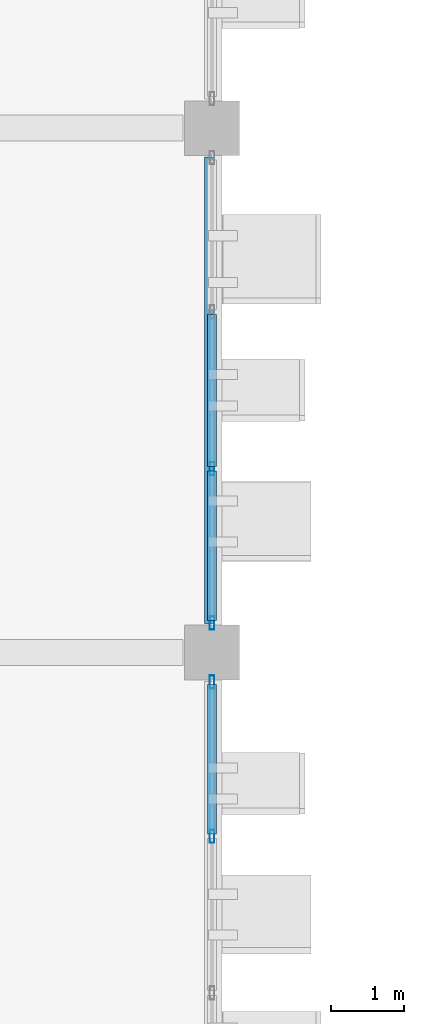
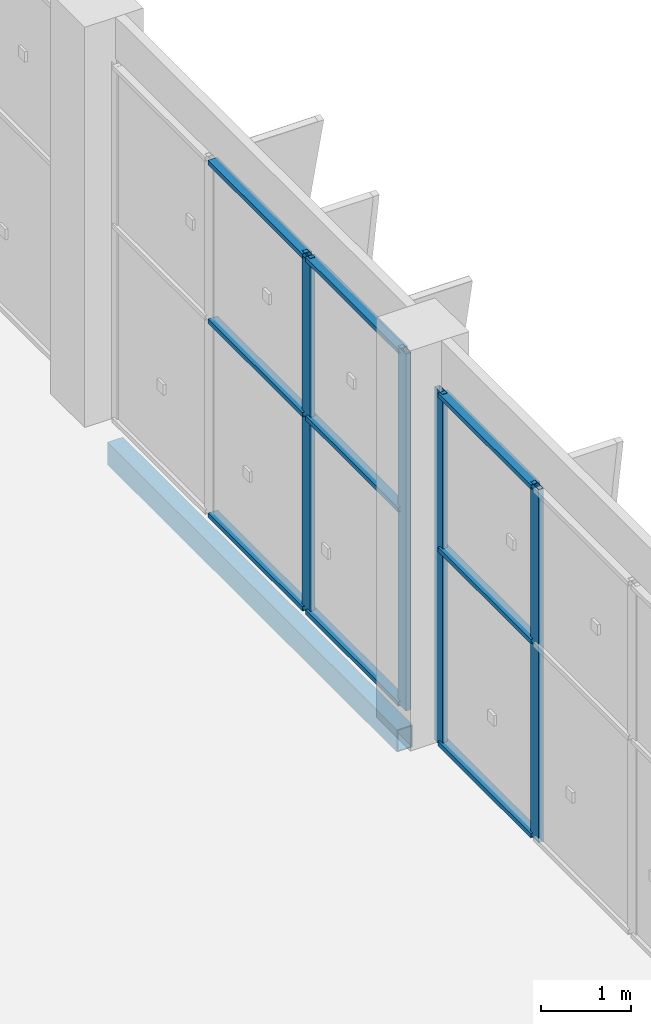
# One storey, part 55 of 189: 13 members, 1 beam, 2 elements without a shape of their own.
"""IFC4 building model written with IfcOpenShell, lengths in metres."""

from ifc_helpers import new_model, si_unit, direction, frame, origin, origin_2d, place, context, subcontext, project, spatial, hollow_rectangle, extrude, material, layer, layer_set, material_profile, profile_set, type_object, element, aggregate, save


model = new_model("IFC4")

# Units and contexts
model_context = context("Model", 3, precision=1e-05, world=origin(), true_north=direction((0.0, 1.0)))
body_context = subcontext(model_context, "Body", "Model", "MODEL_VIEW")
ifc_project = project(units=[si_unit("LENGTHUNIT", "METRE"), si_unit("AREAUNIT", "SQUARE_METRE"), si_unit("VOLUMEUNIT", "CUBIC_METRE"), si_unit("PLANEANGLEUNIT", "RADIAN"), si_unit("MASSUNIT", "GRAM", prefix="KILO")], contexts=[model_context])

# Site, building, storey
site_placement = place(None, origin())
site = spatial("IfcSite", under=ifc_project, at=site_placement, CompositionType="ELEMENT")
building_placement = place(site_placement, origin())
building = spatial("IfcBuilding", under=site, at=building_placement, Name="Celestram Park Convention Centre", CompositionType="ELEMENT")
storey_placement = place(building_placement, frame((0.0, 0.0, 5.39990234375)))
storey = spatial("IfcBuildingStorey", under=building, at=storey_placement, Name="L01", CompositionType="ELEMENT", Elevation=5.39990234375)

# Curtain wall, members
ifc_material_1 = material(Name="Anodised Aluminium Alloy 6063-T6", Category="aluminium")
ifc_layer_1 = layer(ifc_material_1, 0.179931640625)
ifc_layer_set_1 = layer_set([ifc_layer_1], Name="Anodised Aluminium Alloy 6063-T6")
curtain_wall_type_1 = type_object("IfcCurtainWallType", Name="ARC-CW-645X482", PredefinedType="NOTDEFINED", material=ifc_layer_set_1)
curtain_wall_1_placement = place(storey_placement, origin())
curtain_wall_1 = element("IfcCurtainWall", 1, at=curtain_wall_1_placement, inside=storey, type_object=curtain_wall_type_1, Name="Unitised curtain wall CU-L01-096", PredefinedType="NOTDEFINED")
ifc_material_profile_1 = material_profile(ifc_material_1, hollow_rectangle(XDim=0.06494140625, YDim=0.179931640625, WallThickness=0.00390625, at=origin_2d()), Name="ALU65X180X4")
ifc_profile_set_1 = profile_set([ifc_material_profile_1], Name="Anodised Aluminium Alloy 6063-T6")
member_type_1 = type_object("IfcMemberType", Name="ARC-CWM-150", PredefinedType="MULLION", material=ifc_profile_set_1)
member_1_placement = place(storey_placement, frame((144.0, 45.724365234375, 0.0), z_axis=(0.0, 0.0, 1.0), x_axis=(1.0, 0.0, 0.0)))
member_1 = element("IfcMember", 2, at=member_1_placement, type_object=member_type_1, Name="CW-64X48 mullion 3", PredefinedType="MULLION", context=body_context, shape_type="SweptSolid", body=[
    extrude(hollow_rectangle(XDim=0.06494140625, YDim=0.179931640625, WallThickness=0.00390625, at=origin_2d()), origin(), (0.0, 0.0, 1.0), 4.820068359375),
])
member_2_placement = place(storey_placement, frame((144.0, 43.60546875, 0.0), z_axis=(0.0, 0.0, 1.0), x_axis=(1.0, 0.0, 0.0)))
member_2 = element("IfcMember", 3, at=member_2_placement, type_object=member_type_1, Name="CW-64X48 mullion 4", PredefinedType="MULLION", context=body_context, shape_type="SweptSolid", body=[
    extrude(hollow_rectangle(XDim=0.06494140625, YDim=0.179931640625, WallThickness=0.00390625, at=origin_2d()), origin(), (0.0, 0.0, 1.0), 4.820068359375),
])

ifc_layer_2 = layer(ifc_material_1, 0.179931640625)
ifc_layer_set_2 = layer_set([ifc_layer_2], Name="Anodised Aluminium Alloy 6063-T6")
curtain_wall_type_2 = type_object("IfcCurtainWallType", Name="ARC-CW-645X476", PredefinedType="NOTDEFINED", material=ifc_layer_set_2)
curtain_wall_2_placement = place(storey_placement, origin())
curtain_wall_2 = element("IfcCurtainWall", 4, at=curtain_wall_2_placement, inside=storey, type_object=curtain_wall_type_2, Name="Unitised curtain wall CU-L01-097", PredefinedType="NOTDEFINED")
member_3_placement = place(storey_placement, frame((144.0, 42.79443359375, 0.0), z_axis=(0.0, 0.0, 1.0), x_axis=(1.0, 0.0, 0.0)))
member_3 = element("IfcMember", 5, at=member_3_placement, type_object=member_type_1, Name="CW-64X47 mullion 1", PredefinedType="MULLION", context=body_context, shape_type="SweptSolid", body=[
    extrude(hollow_rectangle(XDim=0.06494140625, YDim=0.179931640625, WallThickness=0.00390625, at=origin_2d()), origin(), (0.0, 0.0, 1.0), 4.76416015625),
])
member_4_placement = place(storey_placement, frame((144.0, 40.67578125, 0.0), z_axis=(0.0, 0.0, 1.0), x_axis=(1.0, 0.0, 0.0)))
member_4 = element("IfcMember", 6, at=member_4_placement, type_object=member_type_1, Name="CW-64X47 mullion 2", PredefinedType="MULLION", context=body_context, shape_type="SweptSolid", body=[
    extrude(hollow_rectangle(XDim=0.06494140625, YDim=0.179931640625, WallThickness=0.00390625, at=origin_2d()), origin(), (0.0, 0.0, 1.0), 4.76416015625),
])

# Member
ifc_material_profile_2 = material_profile(ifc_material_1, hollow_rectangle(XDim=0.1201171875, YDim=0.06005859375, WallThickness=0.0029296875, at=origin_2d()), Name="ALU120X60X3")
ifc_profile_set_2 = profile_set([ifc_material_profile_2], Name="Anodised Aluminium Alloy 6063-T6")
member_type_2 = type_object("IfcMemberType", Name="ARC-CWT-120", PredefinedType="USERDEFINED", material=ifc_profile_set_2)
member_5_placement = place(storey_placement, frame((144.0, 47.84326171875, 0.030029296875), z_axis=(0.0, -1.0, 0.0), x_axis=(1.0, 0.0, 0.0)))
member_5 = element("IfcMember", 7, at=member_5_placement, type_object=member_type_2, Name="CW-64X48 transom 2.1", ObjectType="TRANSOM", PredefinedType="USERDEFINED", context=body_context, shape_type="SweptSolid", body=[
    extrude(hollow_rectangle(XDim=0.1201171875, YDim=0.06005859375, WallThickness=0.0029296875, at=origin_2d()), origin(), (0.0, 0.0, 1.0), 2.08642578125),
])

member_6_placement = place(storey_placement, frame((144.0, 47.84326171875, 2.650146484375), z_axis=(0.0, -1.0, 0.0), x_axis=(1.0, 0.0, 0.0)))
member_6 = element("IfcMember", 8, at=member_6_placement, type_object=member_type_2, Name="CW-64X48 transom 2.2", ObjectType="TRANSOM", PredefinedType="USERDEFINED", context=body_context, shape_type="SweptSolid", body=[
    extrude(hollow_rectangle(XDim=0.1201171875, YDim=0.06005859375, WallThickness=0.0029296875, at=origin_2d()), origin(), (0.0, 0.0, 1.0), 2.08642578125),
])

member_7_placement = place(storey_placement, frame((144.0, 47.84326171875, 4.7900390625), z_axis=(0.0, -1.0, 0.0), x_axis=(1.0, 0.0, 0.0)))
member_7 = element("IfcMember", 9, at=member_7_placement, type_object=member_type_2, Name="CW-64X48 transom 2.3", ObjectType="TRANSOM", PredefinedType="USERDEFINED", context=body_context, shape_type="SweptSolid", body=[
    extrude(hollow_rectangle(XDim=0.1201171875, YDim=0.06005859375, WallThickness=0.0029296875, at=origin_2d()), origin(), (0.0, 0.0, 1.0), 2.08642578125),
])

member_8_placement = place(storey_placement, frame((144.0, 45.69189453125, 0.030029296875), z_axis=(0.0, -1.0, 0.0), x_axis=(1.0, 0.0, 0.0)))
member_8 = element("IfcMember", 10, at=member_8_placement, type_object=member_type_2, Name="CW-64X48 transom 3.1", ObjectType="TRANSOM", PredefinedType="USERDEFINED", context=body_context, shape_type="SweptSolid", body=[
    extrude(hollow_rectangle(XDim=0.1201171875, YDim=0.06005859375, WallThickness=0.0029296875, at=origin_2d()), origin(), (0.0, 0.0, 1.0), 2.053955078125),
])

member_9_placement = place(storey_placement, frame((144.0, 45.69189453125, 2.650146484375), z_axis=(0.0, -1.0, 0.0), x_axis=(1.0, 0.0, 0.0)))
member_9 = element("IfcMember", 11, at=member_9_placement, type_object=member_type_2, Name="CW-64X48 transom 3.2", ObjectType="TRANSOM", PredefinedType="USERDEFINED", context=body_context, shape_type="SweptSolid", body=[
    extrude(hollow_rectangle(XDim=0.1201171875, YDim=0.06005859375, WallThickness=0.0029296875, at=origin_2d()), origin(), (0.0, 0.0, 1.0), 2.053955078125),
])

member_10_placement = place(storey_placement, frame((144.0, 45.69189453125, 4.7900390625), z_axis=(0.0, -1.0, 0.0), x_axis=(1.0, 0.0, 0.0)))
member_10 = element("IfcMember", 12, at=member_10_placement, type_object=member_type_2, Name="CW-64X48 transom 3.3", ObjectType="TRANSOM", PredefinedType="USERDEFINED", context=body_context, shape_type="SweptSolid", body=[
    extrude(hollow_rectangle(XDim=0.1201171875, YDim=0.06005859375, WallThickness=0.0029296875, at=origin_2d()), origin(), (0.0, 0.0, 1.0), 2.053955078125),
])

aggregate(curtain_wall_1, [member_1, member_2, member_5, member_6, member_7, member_8, member_9, member_10])

member_11_placement = place(storey_placement, frame((144.0, 42.761962890625, 0.030029296875), z_axis=(0.0, -1.0, 0.0), x_axis=(1.0, 0.0, 0.0)))
member_11 = element("IfcMember", 13, at=member_11_placement, type_object=member_type_2, Name="CW-64X47 transom 1.1", ObjectType="TRANSOM", PredefinedType="USERDEFINED", context=body_context, shape_type="SweptSolid", body=[
    extrude(hollow_rectangle(XDim=0.1201171875, YDim=0.06005859375, WallThickness=0.0029296875, at=origin_2d()), origin(), (0.0, 0.0, 1.0), 2.0537109375),
])

member_12_placement = place(storey_placement, frame((144.0, 42.761962890625, 2.650146484375), z_axis=(0.0, -1.0, 0.0), x_axis=(1.0, 0.0, 0.0)))
member_12 = element("IfcMember", 14, at=member_12_placement, type_object=member_type_2, Name="CW-64X47 transom 1.2", ObjectType="TRANSOM", PredefinedType="USERDEFINED", context=body_context, shape_type="SweptSolid", body=[
    extrude(hollow_rectangle(XDim=0.1201171875, YDim=0.06005859375, WallThickness=0.0029296875, at=origin_2d()), origin(), (0.0, 0.0, 1.0), 2.0537109375),
])

member_13_placement = place(storey_placement, frame((144.0, 42.761962890625, 4.734130859375), z_axis=(0.0, -1.0, 0.0), x_axis=(1.0, 0.0, 0.0)))
member_13 = element("IfcMember", 15, at=member_13_placement, type_object=member_type_2, Name="CW-64X47 transom 1.3", ObjectType="TRANSOM", PredefinedType="USERDEFINED", context=body_context, shape_type="SweptSolid", body=[
    extrude(hollow_rectangle(XDim=0.1201171875, YDim=0.06005859375, WallThickness=0.0029296875, at=origin_2d()), origin(), (0.0, 0.0, 1.0), 2.0537109375),
])

aggregate(curtain_wall_2, [member_3, member_4, member_11, member_12, member_13])

# Beam
ifc_material_2 = material(Name="Steel ASTM A500 Grade C", Category="steel")
ifc_material_profile_3 = material_profile(ifc_material_2, hollow_rectangle(XDim=0.199951171875, YDim=0.300048828125, WallThickness=0.011962890625, at=origin_2d()), Name="HSS300X200X12")
ifc_profile_set_3 = profile_set([ifc_material_profile_3], Name="Steel ASTM A500 Grade C")
beam_type = type_object("IfcBeamType", Name="STR-SPN-HSS300X200", PredefinedType="SPANDREL", material=ifc_profile_set_3)
beam_placement = place(storey_placement, frame((144.0, 43.597900390625, -0.429931640625), z_axis=(0.0, 1.0, 0.0), x_axis=(-1.0, 0.0, 0.0)))
element("IfcBeam", 16, at=beam_placement, inside=storey, type_object=beam_type, Name="Primary Y-girder BG-L01-0336", PredefinedType="SPANDREL", context=body_context, shape_type="SweptSolid", body=[
    extrude(hollow_rectangle(XDim=0.199951171875, YDim=0.300048828125, WallThickness=0.011962890625, at=origin_2d()), origin(), (0.0, 0.0, 1.0), 6.404052734375),
])

save(model, "model.ifc")
